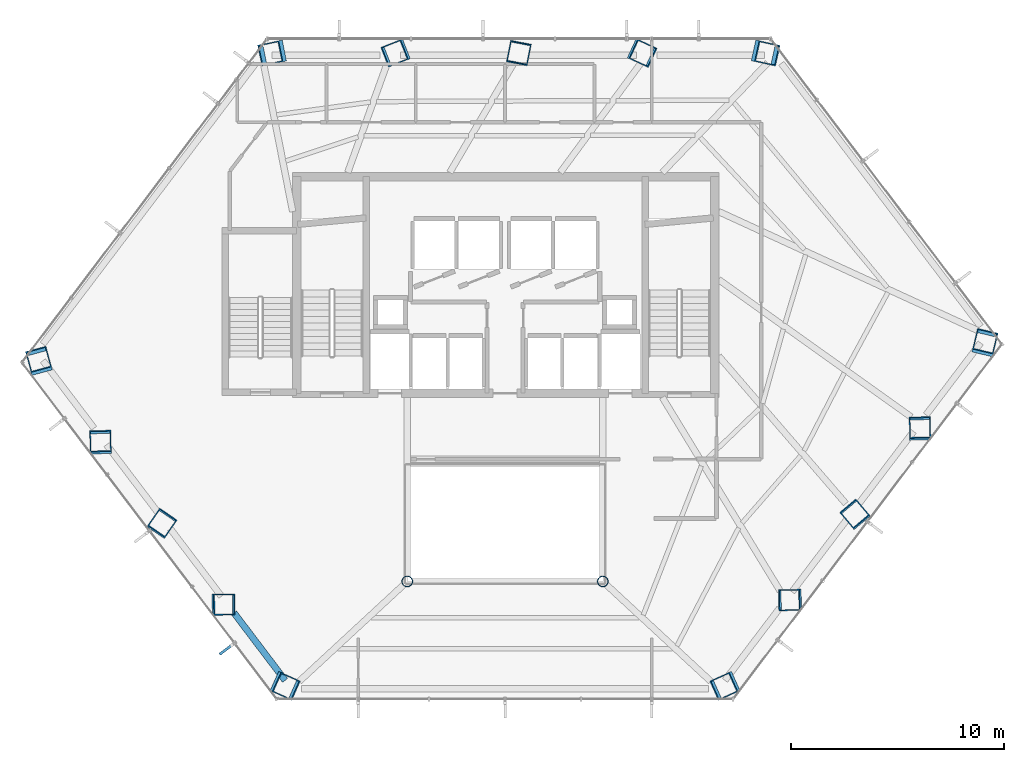
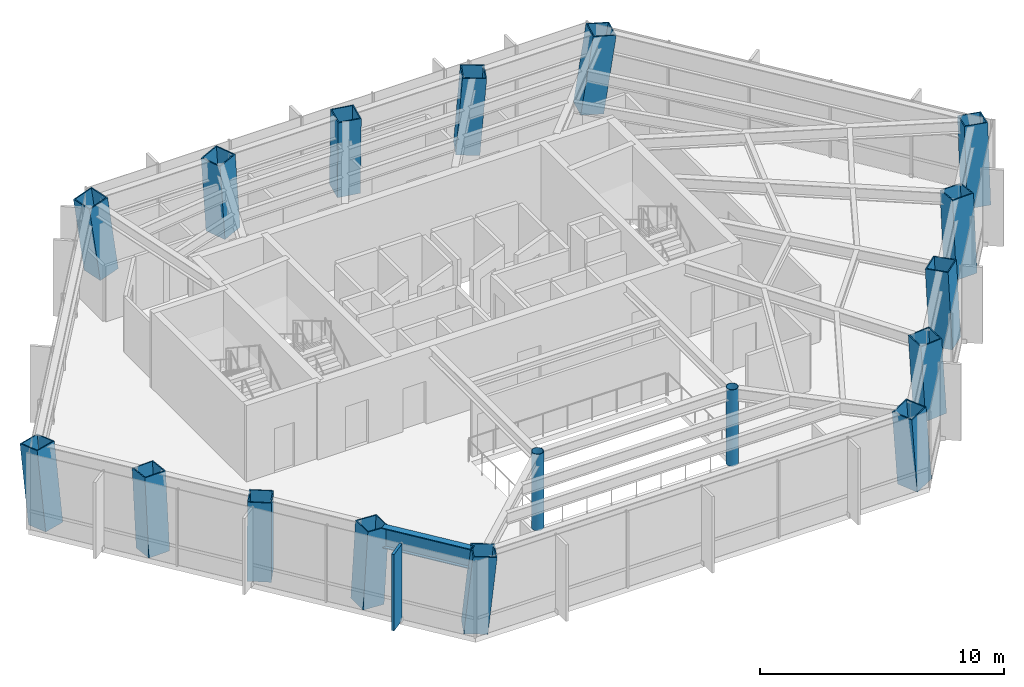
# One storey, part 1 of 26: 17 columns, 1 beam, 1 member, 1 element without a shape of its own.
"""IFC4 building model written with IfcOpenShell, lengths in metres."""

from ifc_helpers import new_model, si_unit, direction, frame, origin, origin_2d, place, context, subcontext, project, spatial, rectangle, hollow_rectangle, hollow_circle, i_section, extrude, material, layer, layer_set, material_profile, profile_set, type_object, element, aggregate, save


model = new_model("IFC4")

# Units and contexts
model_context = context("Model", 3, precision=1e-05, world=origin(), true_north=direction((0.0, 1.0)))
body_context = subcontext(model_context, "Body", "Model", "MODEL_VIEW")
ifc_project = project(units=[si_unit("LENGTHUNIT", "METRE"), si_unit("AREAUNIT", "SQUARE_METRE"), si_unit("VOLUMEUNIT", "CUBIC_METRE"), si_unit("PLANEANGLEUNIT", "RADIAN"), si_unit("MASSUNIT", "GRAM", prefix="KILO")], contexts=[model_context])

# Site, building, storey
site_placement = place(None, origin())
site = spatial("IfcSite", under=ifc_project, at=site_placement, CompositionType="ELEMENT")
building_placement = place(site_placement, origin())
building = spatial("IfcBuilding", under=site, at=building_placement, Name="Zarrinselat Tower", CompositionType="ELEMENT")
storey_placement = place(building_placement, frame((0.0, 0.0, 60.179931640625)))
storey = spatial("IfcBuildingStorey", under=building, at=storey_placement, Name="L14", CompositionType="ELEMENT", Elevation=60.179931640625)

# Columns
ifc_material_1 = material(Name="Steel S355J2", Category="steel")
ifc_material_profile_1 = material_profile(ifc_material_1, hollow_circle(Radius=0.25390625, WallThickness=0.02001953125, at=origin_2d()), Name="CHS 508x20")
ifc_profile_set_1 = profile_set([ifc_material_profile_1], Name="Steel S355J2")
column_type_1 = type_object("IfcColumnType", Name="COL-CHS508", PredefinedType="COLUMN", material=ifc_profile_set_1)
for number, where, z_axis, x_axis, name in (
    (1, (33.800048828125, 24.39990234375, 0.0), (0.0, 0.0, 1.0), (1.0, 0.0, 0.0), "L14 Atrium Corner Column 1"),
    (2, (43.0, 24.39990234375, 0.0), (0.0, 0.0, 1.0), (1.0, 0.0, 0.0), "L14 Atrium Corner Column 2"),
):
    element("IfcColumn", number, at=place(storey_placement, frame(where, z_axis=z_axis, x_axis=x_axis)), inside=storey, type_object=column_type_1, Name=name, PredefinedType="COLUMN", context=body_context, shape_type="SweptSolid", body=[
        extrude(hollow_circle(Radius=0.25390625, WallThickness=0.02001953125, at=origin_2d()), origin(), (0.0, 0.0, 1.0), 3.820068359375),
    ])
ifc_material_2 = material(Name="Steel S460M", Category="steel")
ifc_material_profile_2 = material_profile(ifc_material_2, hollow_rectangle(XDim=1.0, YDim=1.0, WallThickness=0.050048828125, at=origin_2d()), Name="SHS 1000x1000x50")
ifc_profile_set_2 = profile_set([ifc_material_profile_2], Name="Steel S460M")
column_type_2 = type_object("IfcColumnType", Name="COL-SHS1000", PredefinedType="COLUMN", material=ifc_profile_set_2)
column_1_placement = place(storey_placement, frame((50.57421875, 49.27783203125, 0.0), z_axis=(0.136996695785, -0.030246845536, 0.990109606902), x_axis=(0.215593078427, 0.97648329455, 0.0)))
element("IfcColumn", 3, at=column_1_placement, inside=storey, type_object=column_type_2, Name="L14 Framed-Tube Column T01", PredefinedType="COLUMN", context=body_context, shape_type="SweptSolid", body=[
    extrude(hollow_rectangle(XDim=1.0, YDim=1.0, WallThickness=0.050048828125, at=origin_2d()), origin(), (0.0, 0.0, 1.0), 3.858154296875),
])
column_2_placement = place(storey_placement, frame((44.814208984375, 49.27783203125, 0.0), z_axis=(0.06603544919, -0.030468093352, 0.997352001421), x_axis=(0.41894701377, 0.908010682565, 0.0)))
element("IfcColumn", 4, at=column_2_placement, inside=storey, type_object=column_type_2, Name="L14 Framed-Tube Column T02", PredefinedType="COLUMN", context=body_context, shape_type="SweptSolid", body=[
    extrude(hollow_rectangle(XDim=1.0, YDim=1.0, WallThickness=0.050048828125, at=origin_2d()), origin(), (0.0, 0.0, 1.0), 3.830322265625),
])
column_3_placement = place(storey_placement, frame((39.05419921875, 49.27783203125, 0.0), z_axis=(-0.006004631848, -0.030534191739, 0.999515686486), x_axis=(0.981207200958, -0.192957064624, 0.0)))
element("IfcColumn", 5, at=column_3_placement, inside=storey, type_object=column_type_2, Name="L14 Framed-Tube Column T03", PredefinedType="COLUMN", context=body_context, shape_type="SweptSolid", body=[
    extrude(hollow_rectangle(XDim=1.0, YDim=1.0, WallThickness=0.050048828125, at=origin_2d()), origin(), (0.0, 0.0, 1.0), 3.822021484375),
])
column_4_placement = place(storey_placement, frame((33.29443359375, 49.27783203125, 0.0), z_axis=(-0.078014761976, -0.030441678551, 0.996487331139), x_axis=(0.363510291576, -0.931590182386, 0.0)))
element("IfcColumn", 6, at=column_4_placement, inside=storey, type_object=column_type_2, Name="L14 Framed-Tube Column T04", PredefinedType="COLUMN", context=body_context, shape_type="SweptSolid", body=[
    extrude(hollow_rectangle(XDim=1.0, YDim=1.0, WallThickness=0.050048828125, at=origin_2d()), origin(), (0.0, 0.0, 1.0), 3.83349609375),
])
column_5_placement = place(storey_placement, frame((27.534423828125, 49.27783203125, 0.0), z_axis=(-0.148702169179, -0.030195257803, 0.988420918075), x_axis=(0.198997452583, -0.980000007074, 0.0)))
element("IfcColumn", 7, at=column_5_placement, inside=storey, type_object=column_type_2, Name="L14 Framed-Tube Column T05", PredefinedType="COLUMN", context=body_context, shape_type="SweptSolid", body=[
    extrude(hollow_rectangle(XDim=1.0, YDim=1.0, WallThickness=0.050048828125, at=origin_2d()), origin(), (0.0, 0.0, 1.0), 3.86474609375),
])
column_6_placement = place(storey_placement, frame((16.492431640625, 34.7021484375, 0.0), z_axis=(-0.033343713935, 0.122725152429, 0.991880402923), x_axis=(-0.965016438766, -0.262189383673, 0.0)))
element("IfcColumn", 8, at=column_6_placement, inside=storey, type_object=column_type_2, Name="L14 Framed-Tube Column T06", PredefinedType="COLUMN", context=body_context, shape_type="SweptSolid", body=[
    extrude(hollow_rectangle(XDim=1.0, YDim=1.0, WallThickness=0.050048828125, at=origin_2d()), origin(), (0.0, 0.0, 1.0), 3.851318359375),
])
column_7_placement = place(storey_placement, frame((19.369384765625, 30.904541015625, 0.0), z_axis=(-0.002420323733, 0.082354699635, 0.996600143227), x_axis=(-0.999568422366, -0.029376334145, 0.0)))
element("IfcColumn", 9, at=column_7_placement, inside=storey, type_object=column_type_2, Name="L14 Framed-Tube Column T07", PredefinedType="COLUMN", context=body_context, shape_type="SweptSolid", body=[
    extrude(hollow_rectangle(XDim=1.0, YDim=1.0, WallThickness=0.050048828125, at=origin_2d()), origin(), (0.0, 0.0, 1.0), 3.8330078125),
])
column_8_placement = place(storey_placement, frame((22.246337890625, 27.10693359375, 0.0), z_axis=(0.028659091912, 0.041488663125, 0.998727864477), x_axis=(-0.82278415095, 0.568353975041, 0.0)))
element("IfcColumn", 10, at=column_8_placement, inside=storey, type_object=column_type_2, Name="L14 Framed-Tube Column T08", PredefinedType="COLUMN", context=body_context, shape_type="SweptSolid", body=[
    extrude(hollow_rectangle(XDim=1.0, YDim=1.0, WallThickness=0.050048828125, at=origin_2d()), origin(), (0.0, 0.0, 1.0), 3.824951171875),
])
column_9_placement = place(storey_placement, frame((25.123291015625, 23.309326171875, 0.0), z_axis=(0.059713024499, 0.000446571764, 0.998215485393), x_axis=(-0.007478423348, 0.999972036201, 0.0)))
element("IfcColumn", 11, at=column_9_placement, inside=storey, type_object=column_type_2, Name="L14 Framed-Tube Column T09", PredefinedType="COLUMN", context=body_context, shape_type="SweptSolid", body=[
    extrude(hollow_rectangle(XDim=1.0, YDim=1.0, WallThickness=0.050048828125, at=origin_2d()), origin(), (0.0, 0.0, 1.0), 3.826904296875),
])
for number, where, z_axis, x_axis, name in (
    (12, (28.00048828125, 19.51171875, 0.0), (0.090432989759, -0.040446822424, 0.995080865517), (0.408281600663, 0.912856031672, 0.0), "L14 Framed-Tube Column T10"),
    (13, (48.799560546875, 19.51171875, 0.0), (-0.090432989759, -0.040446822424, 0.995080865517), (0.408281600663, -0.912856031672, 0.0), "L14 Framed-Tube Column T11"),
):
    element("IfcColumn", number, at=place(storey_placement, frame(where, z_axis=z_axis, x_axis=x_axis)), inside=storey, type_object=column_type_2, Name=name, PredefinedType="COLUMN", context=body_context, shape_type="SweptSolid", body=[
        extrude(hollow_rectangle(XDim=1.0, YDim=1.0, WallThickness=0.050048828125, at=origin_2d()), origin(), (0.0, 0.0, 1.0), 3.8388671875),
    ])
column_10_placement = place(storey_placement, frame((51.840087890625, 23.525146484375, 0.0), z_axis=(-0.061174840533, -0.001530965769, 0.998125891373), x_axis=(0.025018235536, -0.999686994959, 0.0)))
element("IfcColumn", 14, at=column_10_placement, inside=storey, type_object=column_type_2, Name="L14 Framed-Tube Column T12", PredefinedType="COLUMN", context=body_context, shape_type="SweptSolid", body=[
    extrude(hollow_rectangle(XDim=1.0, YDim=1.0, WallThickness=0.050048828125, at=origin_2d()), origin(), (0.0, 0.0, 1.0), 3.8271484375),
])
column_11_placement = place(storey_placement, frame((54.880615234375, 27.538818359375, 0.0), z_axis=(-0.03159735819, 0.037533831547, 0.998795684034), x_axis=(-0.76501240422, -0.644015544369, 0.0)))
element("IfcColumn", 15, at=column_11_placement, inside=storey, type_object=column_type_2, Name="L14 Framed-Tube Column T13", PredefinedType="COLUMN", context=body_context, shape_type="SweptSolid", body=[
    extrude(hollow_rectangle(XDim=1.0, YDim=1.0, WallThickness=0.050048828125, at=origin_2d()), origin(), (0.0, 0.0, 1.0), 3.82470703125),
])
column_12_placement = place(storey_placement, frame((57.92138671875, 31.552490234375, 0.0), z_axis=(-0.002039138207, 0.076403959698, 0.997074860208), x_axis=(-0.99964404126, -0.026679407273, 0.0)))
element("IfcColumn", 16, at=column_12_placement, inside=storey, type_object=column_type_2, Name="L14 Framed-Tube Column T14", PredefinedType="COLUMN", context=body_context, shape_type="SweptSolid", body=[
    extrude(hollow_rectangle(XDim=1.0, YDim=1.0, WallThickness=0.050048828125, at=origin_2d()), origin(), (0.0, 0.0, 1.0), 3.831298828125),
])
column_13_placement = place(storey_placement, frame((60.9619140625, 35.56591796875, 0.0), z_axis=(0.027352114737, 0.114993113466, 0.992989650336), x_axis=(-0.972858036627, 0.23140276699, 0.0)))
element("IfcColumn", 17, at=column_13_placement, inside=storey, type_object=column_type_2, Name="L14 Framed-Tube Column T15", PredefinedType="COLUMN", context=body_context, shape_type="SweptSolid", body=[
    extrude(hollow_rectangle(XDim=1.0, YDim=1.0, WallThickness=0.050048828125, at=origin_2d()), origin(), (0.0, 0.0, 1.0), 3.846923828125),
])

# Beam
ifc_material_3 = material(Name="Steel S460M", Category="steel")
ifc_material_profile_3 = material_profile(ifc_material_3, i_section(OverallWidth=0.302001953125, OverallDepth=1.008056640625, WebThickness=0.02099609375, FlangeThickness=0.0400390625, at=origin_2d()), Name="HEM 1000")
ifc_profile_set_3 = profile_set([ifc_material_profile_3], Name="Steel S460M")
beam_type = type_object("IfcBeamType", Name="BM-HEM1000", PredefinedType="BEAM", material=ifc_profile_set_3)
beam_placement = place(storey_placement, frame((25.646484375, 22.922119140625, 3.316162109375), z_axis=(0.603864764973, -0.797086786758, 0.0), x_axis=(0.797086786758, 0.603864764973, 0.0)))
element("IfcBeam", 18, at=beam_placement, inside=storey, type_object=beam_type, Name="L14 Perimeter Spandrel Girder SP09", PredefinedType="BEAM", context=body_context, shape_type="SweptSolid", body=[
    extrude(i_section(OverallWidth=0.302001953125, OverallDepth=1.008056640625, WebThickness=0.02099609375, FlangeThickness=0.0400390625, at=origin_2d()), origin(), (0.0, 0.0, 1.0), 3.985107421875),
])

# Curtain wall, member
ifc_material_4 = material(Name="Extruded Aluminium Alloy EN AW-6063 T6", Category="aluminium")
ifc_layer = layer(ifc_material_4, 0.18505859375)
ifc_layer_set = layer_set([ifc_layer], Name="Extruded Aluminium Alloy EN AW-6063 T6")
curtain_wall_type = type_object("IfcCurtainWallType", Name="CWS-OFF", PredefinedType="NOTDEFINED", material=ifc_layer_set)
curtain_wall_placement = place(storey_placement, origin())
curtain_wall = element("IfcCurtainWall", 19, at=curtain_wall_placement, inside=storey, type_object=curtain_wall_type, Name="L14 Unitised Curtain Wall CW-L14-E03", PredefinedType="NOTDEFINED")
ifc_material_5 = material(Name="Honed Cream Travertine Stone", Category="masonry")
ifc_material_profile_4 = material_profile(ifc_material_5, rectangle(XDim=0.1201171875, YDim=0.85009765625, at=origin_2d()), Name="FIN 850x120")
ifc_profile_set_4 = profile_set([ifc_material_profile_4], Name="Honed Cream Travertine Stone")
member_type = type_object("IfcMemberType", Name="MEM-STONE-FIN", PredefinedType="USERDEFINED", material=ifc_profile_set_4)
member_placement = place(storey_placement, frame((25.310546875, 21.22412109375, 0.0), z_axis=(0.0, 0.0, 1.0), x_axis=(-0.603861563254, 0.797089212337, 0.0)))
member = element("IfcMember", 20, at=member_placement, type_object=member_type, Name="L14 Stone Shading Fin CW-L14-E03-05", ObjectType="FIN", PredefinedType="USERDEFINED", context=body_context, shape_type="SweptSolid", body=[
    extrude(rectangle(XDim=0.1201171875, YDim=0.85009765625, at=origin_2d()), origin(), (0.0, 0.0, 1.0), 3.820068359375),
])
aggregate(curtain_wall, [member])

save(model, "model.ifc")
